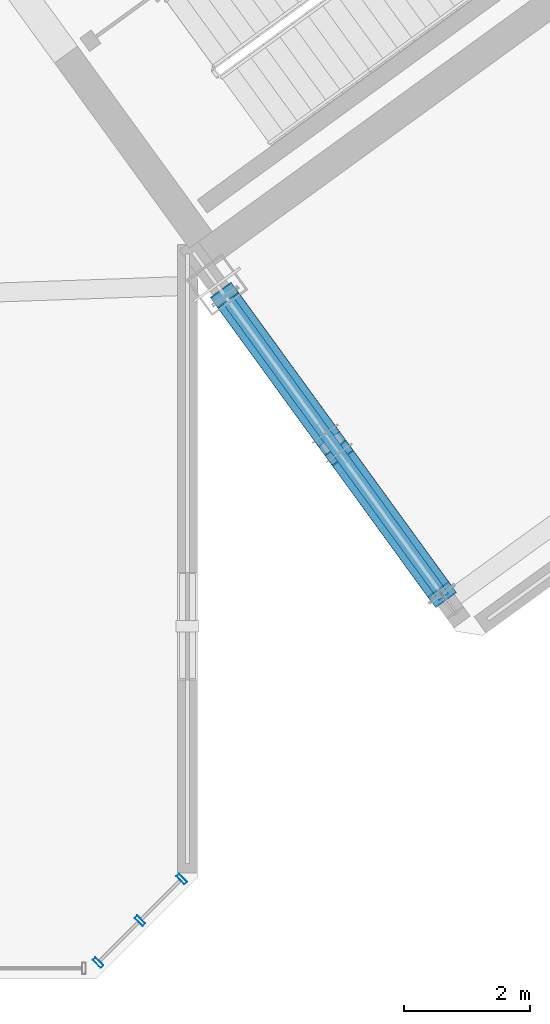
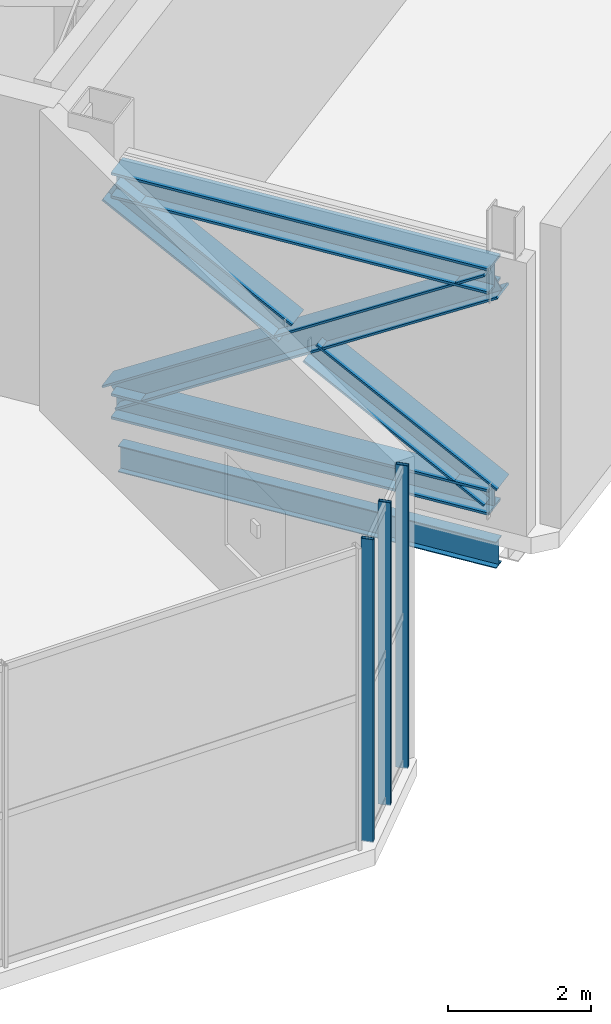
# One storey, part 10 of 32: 8 members, 1 beam, 1 element without a shape of its own.
"""IFC4 building model written with IfcOpenShell, lengths in metres."""

from ifc_helpers import new_model, si_unit, direction, frame, origin, origin_2d, place, context, subcontext, project, spatial, hollow_rectangle, i_section, extrude, source, transform, mapped, material, material_profile, profile_set, type_object, element, aggregate, save


model = new_model("IFC4")

# Units and contexts
model_context = context("Model", 3, precision=1e-05, world=origin(), true_north=direction((0.0, 1.0)))
body_context = subcontext(model_context, "Body", "Model", "MODEL_VIEW")
ifc_project = project(units=[si_unit("LENGTHUNIT", "METRE"), si_unit("AREAUNIT", "SQUARE_METRE"), si_unit("VOLUMEUNIT", "CUBIC_METRE"), si_unit("PLANEANGLEUNIT", "RADIAN"), si_unit("MASSUNIT", "GRAM", prefix="KILO")], contexts=[model_context])

# Site, building, storey
site_placement = place(None, origin())
site = spatial("IfcSite", under=ifc_project, at=site_placement, CompositionType="ELEMENT")
building_placement = place(site_placement, origin())
building = spatial("IfcBuilding", under=site, at=building_placement, Name="Tlacorven Tower", CompositionType="ELEMENT")
storey_placement = place(building_placement, frame((0.0, 0.0, 245.699951171875)))
storey = spatial("IfcBuildingStorey", under=building, at=storey_placement, Name="L62", CompositionType="ELEMENT", Elevation=245.699951171875)

# Members
ifc_material_1 = material(Name="Steel S460M", Category="steel")
ifc_material_profile_1 = material_profile(ifc_material_1, i_section(OverallWidth=0.412109375, OverallDepth=0.43505859375, WebThickness=0.02490234375, FlangeThickness=0.0400390625, at=origin_2d()), Name="HD 400X463")
ifc_profile_set_1 = profile_set([ifc_material_profile_1], Name="Steel S460M")
member_type_1 = type_object("IfcMemberType", Name="MB-OUT-CHD", PredefinedType="CHORD", material=ifc_profile_set_1)
shared_shape_1 = source(origin(), body_context, "Body", "SweptSolid", [
    extrude(i_section(OverallWidth=0.412109375, OverallDepth=0.43505859375, WebThickness=0.02490234375, FlangeThickness=0.0400390625, at=origin_2d()), origin(), (0.0, 0.0, 1.0), 5.795166015625),
])
for number, where, z_axis, x_axis, name in (
    (1, (52.846435546875, 12.579345703125, 0.449951171875), (0.587770839482, -0.809027465698, 0.0), (0.809027465698, 0.587770839482, 0.0), "L62 Outrigger Truss Chord E1-B"),
    (2, (52.846435546875, 12.579345703125, 4.22998046875), (0.587770839482, -0.809027465698, 0.0), (0.809027465698, 0.587770839482, 0.0), "L62 Outrigger Truss Chord E1-T"),
):
    element("IfcMember", number, at=place(storey_placement, frame(where, z_axis=z_axis, x_axis=x_axis)), inside=storey, type_object=member_type_1, Name=name, PredefinedType="CHORD", context=body_context, shape_type="MappedRepresentation", body=[
        mapped(shared_shape_1, transform((0.0, 0.0, 0.0), scale=1.0)),
    ])
ifc_material_profile_2 = material_profile(ifc_material_1, i_section(OverallWidth=0.406005859375, OverallDepth=0.416015625, WebThickness=0.02099609375, FlangeThickness=0.032958984375, at=origin_2d()), Name="HD 400X382")
ifc_profile_set_2 = profile_set([ifc_material_profile_2], Name="Steel S460M")
member_type_2 = type_object("IfcMemberType", Name="MB-OUT-DIA", PredefinedType="BRACE", material=ifc_profile_set_2)
shared_shape_2 = source(origin(), body_context, "Body", "SweptSolid", [
    extrude(i_section(OverallWidth=0.406005859375, OverallDepth=0.416015625, WebThickness=0.02099609375, FlangeThickness=0.032958984375, at=origin_2d()), origin(), (0.0, 0.0, 1.0), 3.170654296875),
])
member_1_placement = place(storey_placement, frame((52.825927734375, 12.607666015625, 4.105224609375), z_axis=(0.501868474634, -0.690742879095, -0.520578821264), x_axis=(0.809008975915, 0.587796288598, 0.0)))
element("IfcMember", 3, at=member_1_placement, inside=storey, type_object=member_type_2, Name="L62 Outrigger Truss Split Diagonal E1-2A", PredefinedType="BRACE", context=body_context, shape_type="MappedRepresentation", body=[
    mapped(shared_shape_2, transform((0.0, 0.0, 0.0), scale=1.0)),
])
shared_shape_3 = source(origin(), body_context, "Body", "SweptSolid", [
    extrude(i_section(OverallWidth=0.406005859375, OverallDepth=0.416015625, WebThickness=0.02099609375, FlangeThickness=0.032958984375, at=origin_2d()), origin(), (0.0, 0.0, 1.0), 3.24560546875),
])
member_2_placement = place(storey_placement, frame((54.637939453125, 10.113525390625, 2.2255859375), z_axis=(0.501862263089, -0.690737584225, -0.520591834958), x_axis=(0.809010292828, 0.58779447607, 0.0)))
element("IfcMember", 4, at=member_2_placement, inside=storey, type_object=member_type_2, Name="L62 Outrigger Truss Split Diagonal E1-2B", PredefinedType="BRACE", context=body_context, shape_type="MappedRepresentation", body=[
    mapped(shared_shape_3, transform((0.0, 0.0, 0.0), scale=1.0)),
])
shared_shape_4 = source(origin(), body_context, "Body", "SweptSolid", [
    extrude(i_section(OverallWidth=0.406005859375, OverallDepth=0.416015625, WebThickness=0.02099609375, FlangeThickness=0.032958984375, at=origin_2d()), origin(), (0.0, 0.0, 1.0), 6.856201171875),
])
member_3_placement = place(storey_placement, frame((52.825927734375, 12.607666015625, 0.574951171875), z_axis=(0.50186236025, -0.690764007839, 0.520556679757), x_axis=(0.809020930936, 0.587779834043, 0.0)))
element("IfcMember", 5, at=member_3_placement, inside=storey, type_object=member_type_2, Name="L62 Outrigger Truss Diagonal E1-1", PredefinedType="BRACE", context=body_context, shape_type="MappedRepresentation", body=[
    mapped(shared_shape_4, transform((0.0, 0.0, 0.0), scale=1.0)),
])

# Beam
ifc_material_2 = material(Name="Steel S355J2", Category="steel")
ifc_material_profile_3 = material_profile(ifc_material_2, i_section(OverallWidth=0.18994140625, OverallDepth=0.449951171875, WebThickness=0.009521484375, FlangeThickness=0.0146484375, at=origin_2d()), Name="IPE 450")
ifc_profile_set_3 = profile_set([ifc_material_profile_3], Name="Steel S355J2")
beam_type = type_object("IfcBeamType", Name="BM-TWR-450", PredefinedType="BEAM", material=ifc_profile_set_3)
shared_shape_5 = source(origin(), body_context, "Body", "SweptSolid", [
    extrude(i_section(OverallWidth=0.18994140625, OverallDepth=0.449951171875, WebThickness=0.009521484375, FlangeThickness=0.0146484375, at=origin_2d()), origin(), (0.0, 0.0, 1.0), 5.800048828125),
])
beam_placement = place(storey_placement, frame((56.291015625, 7.83837890625, -0.5048828125), z_axis=(-0.587781191743, 0.809019944521, 0.0), x_axis=(-0.809019944521, -0.587781191743, 0.0)))
element("IfcBeam", 6, at=beam_placement, inside=storey, type_object=beam_type, Name="L62 beam BM-L62-ET1-1", PredefinedType="BEAM", context=body_context, shape_type="MappedRepresentation", body=[
    mapped(shared_shape_5, transform((0.0, 0.0, 0.0), scale=1.0)),
])

# Curtain wall, members
ifc_material_3 = material(Name="Dark solar low-E double glazing in aluminium frame", Category="aluminium")
curtain_wall_type = type_object("IfcCurtainWallType", Name="CW-TWR-HIGH", PredefinedType="USERDEFINED", material=ifc_material_3)
curtain_wall_placement = place(storey_placement, origin())
curtain_wall = element("IfcCurtainWall", 7, at=curtain_wall_placement, inside=storey, type_object=curtain_wall_type, Name="L62 CW-TWR-HIGH Curtain Wall 284", ObjectType="UNITISED CURTAIN WALL", PredefinedType="USERDEFINED")
ifc_material_4 = material(Name="Aluminium 6063-T6 anodised", Category="aluminium")
ifc_material_profile_4 = material_profile(ifc_material_4, hollow_rectangle(XDim=0.06005859375, YDim=0.179931640625, WallThickness=0.00390625, at=origin_2d()), Name="ALU MULLION 60X180")
ifc_profile_set_4 = profile_set([ifc_material_profile_4], Name="Aluminium 6063-T6 anodised")
member_type_3 = type_object("IfcMemberType", Name="CWM-03", PredefinedType="MULLION", material=ifc_profile_set_4)
shared_shape_6 = source(origin(), body_context, "Body", "SweptSolid", [
    extrude(hollow_rectangle(XDim=0.06005859375, YDim=0.179931640625, WallThickness=0.00390625, at=origin_2d()), origin(), (0.0, 0.0, 1.0), 5.18017578125),
])
member_4_placement = place(storey_placement, frame((52.148193359375, 3.374267578125, -0.02001953125), z_axis=(0.0, 0.0, 1.0), x_axis=(-0.707106781187, -0.707106781187, 0.0)))
member_4 = element("IfcMember", 8, at=member_4_placement, type_object=member_type_3, Name="CW-L62-284 Mullion 1", PredefinedType="MULLION", context=body_context, shape_type="MappedRepresentation", body=[
    mapped(shared_shape_6, transform((0.0, 0.0, 0.0), scale=1.0)),
])
member_5_placement = place(storey_placement, frame((51.48681640625, 2.713134765625, -0.02001953125), z_axis=(0.0, 0.0, 1.0), x_axis=(-0.707106781187, -0.707106781187, 0.0)))
member_5 = element("IfcMember", 9, at=member_5_placement, type_object=member_type_3, Name="CW-L62-284 Mullion 2", PredefinedType="MULLION", context=body_context, shape_type="MappedRepresentation", body=[
    mapped(shared_shape_6, transform((0.0, 0.0, 0.0), scale=1.0)),
])
member_6_placement = place(storey_placement, frame((50.82568359375, 2.052001953125, -0.02001953125), z_axis=(0.0, 0.0, 1.0), x_axis=(-0.707106781187, -0.707106781187, 0.0)))
member_6 = element("IfcMember", 10, at=member_6_placement, type_object=member_type_3, Name="CW-L62-284 Mullion 3", PredefinedType="MULLION", context=body_context, shape_type="MappedRepresentation", body=[
    mapped(shared_shape_6, transform((0.0, 0.0, 0.0), scale=1.0)),
])
aggregate(curtain_wall, [member_4, member_5, member_6])

save(model, "model.ifc")
